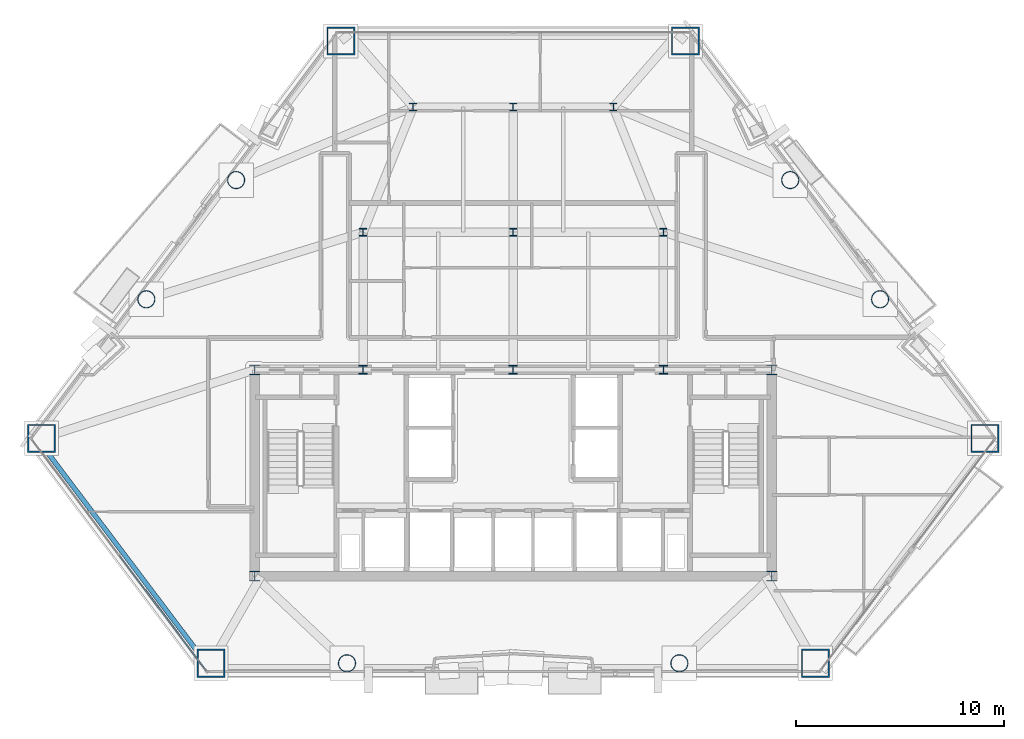
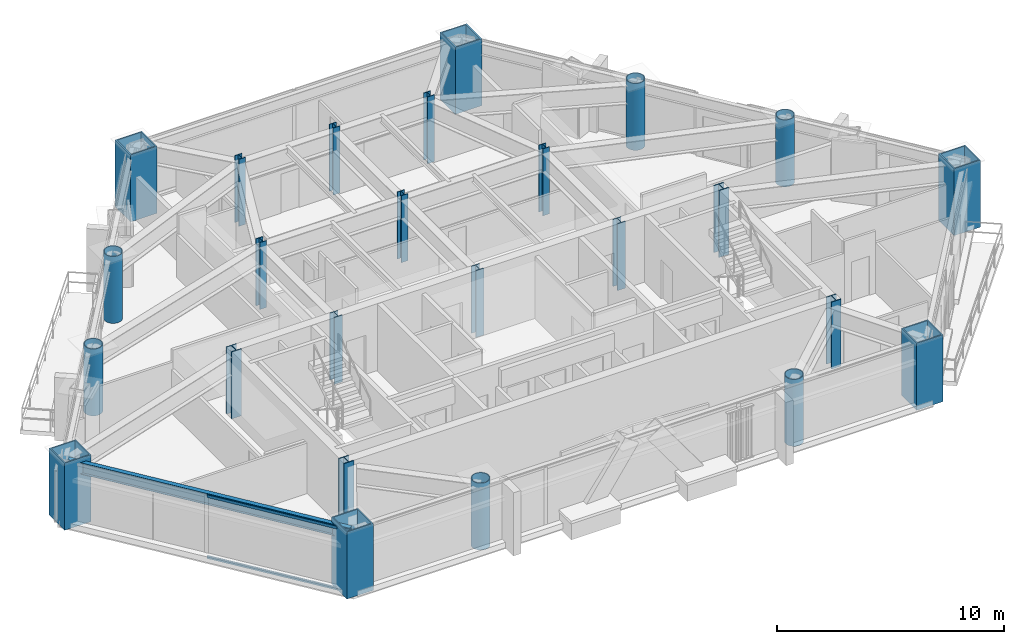
# One storey, part 1 of 11: 25 columns, 2 members, 1 beam, 1 element without a shape of its own.
"""IFC4 building model written with IfcOpenShell, lengths in metres."""

from ifc_helpers import new_model, si_unit, direction, frame, origin, origin_2d, place, context, subcontext, project, spatial, rectangle, hollow_rectangle, hollow_circle, i_section, extrude, material, layer, layer_set, material_profile, profile_set, type_object, element, aggregate, save


model = new_model("IFC4")

# Units and contexts
model_context = context("Model", 3, precision=1e-05, world=origin(), true_north=direction((0.0, 1.0)))
body_context = subcontext(model_context, "Body", "Model", "MODEL_VIEW")
ifc_project = project(units=[si_unit("LENGTHUNIT", "METRE"), si_unit("AREAUNIT", "SQUARE_METRE"), si_unit("VOLUMEUNIT", "CUBIC_METRE"), si_unit("PLANEANGLEUNIT", "RADIAN"), si_unit("MASSUNIT", "GRAM", prefix="KILO")], contexts=[model_context])

# Site, building, storey
site_placement = place(None, origin())
site = spatial("IfcSite", under=ifc_project, at=site_placement, CompositionType="ELEMENT")
building_placement = place(site_placement, origin())
building = spatial("IfcBuilding", under=site, at=building_placement, Name="Talgorran Terracotta Tower", CompositionType="ELEMENT")
storey_placement = place(building_placement, frame((0.0, 0.0, 35.10009765625)))
storey = spatial("IfcBuildingStorey", under=building, at=storey_placement, Name="L08", CompositionType="ELEMENT", Elevation=35.10009765625)

# Columns
ifc_material_1 = material(Name="Steel S355 (300PLUS)", Category="steel")
ifc_material_profile_1 = material_profile(ifc_material_1, i_section(OverallWidth=0.35009765625, OverallDepth=0.366943359375, WebThickness=0.02490234375, FlangeThickness=0.031982421875, at=origin_2d()), Name="350WC258")
ifc_profile_set_1 = profile_set([ifc_material_profile_1], Name="Steel S355 (300PLUS)")
column_type_1 = type_object("IfcColumnType", Name="COL_350WC258", PredefinedType="COLUMN", material=ifc_profile_set_1)
for number, where, z_axis, x_axis, name in (
    (1, (-7.199951171875, 2.39990234375, 0.0), (0.0, 0.0, 1.0), (1.0, 0.0, 0.0), "L08 Interior Gravity Column IC1"),
    (2, (0.0, 2.39990234375, 0.0), (0.0, 0.0, 1.0), (1.0, 0.0, 0.0), "L08 Interior Gravity Column IC2"),
    (3, (7.199951171875, 2.39990234375, 0.0), (0.0, 0.0, 1.0), (1.0, 0.0, 0.0), "L08 Interior Gravity Column IC3"),
    (4, (-4.800048828125, 8.39990234375, 0.0), (0.0, 0.0, 1.0), (1.0, 0.0, 0.0), "L08 Interior Gravity Column IC4"),
    (5, (0.0, 8.39990234375, 0.0), (0.0, 0.0, 1.0), (1.0, 0.0, 0.0), "L08 Interior Gravity Column IC5"),
    (6, (4.800048828125, 8.39990234375, 0.0), (0.0, 0.0, 1.0), (1.0, 0.0, 0.0), "L08 Interior Gravity Column IC6"),
):
    element("IfcColumn", number, at=place(storey_placement, frame(where, z_axis=z_axis, x_axis=x_axis)), inside=storey, type_object=column_type_1, Name=name, PredefinedType="COLUMN", context=body_context, shape_type="SweptSolid", body=[
        extrude(i_section(OverallWidth=0.35009765625, OverallDepth=0.366943359375, WebThickness=0.02490234375, FlangeThickness=0.031982421875, at=origin_2d()), origin(), (0.0, 0.0, 1.0), 3.599853515625),
    ])
ifc_material_profile_2 = material_profile(ifc_material_1, i_section(OverallWidth=0.5, OverallDepth=0.48193359375, WebThickness=0.0400390625, FlangeThickness=0.044921875, at=origin_2d()), Name="500WC440")
ifc_profile_set_2 = profile_set([ifc_material_profile_2], Name="Steel S355 (300PLUS)")
column_type_2 = type_object("IfcColumnType", Name="COL_500WC440", PredefinedType="COLUMN", material=ifc_profile_set_2)
for number, where, z_axis, x_axis, name in (
    (7, (-12.39990234375, -14.10009765625, 0.0), (0.0, 0.0, 1.0), (1.0, 0.0, 0.0), "L08 Core Boundary Column CC1"),
    (8, (12.39990234375, -14.10009765625, 0.0), (0.0, 0.0, 1.0), (1.0, 0.0, 0.0), "L08 Core Boundary Column CC2"),
    (9, (12.39990234375, -4.199951171875, 0.0), (0.0, 0.0, 1.0), (1.0, 0.0, 0.0), "L08 Core Boundary Column CC3"),
    (10, (-12.39990234375, -4.199951171875, 0.0), (0.0, 0.0, 1.0), (1.0, 0.0, 0.0), "L08 Core Boundary Column CC4"),
):
    element("IfcColumn", number, at=place(storey_placement, frame(where, z_axis=z_axis, x_axis=x_axis)), inside=storey, type_object=column_type_2, Name=name, PredefinedType="COLUMN", context=body_context, shape_type="SweptSolid", body=[
        extrude(i_section(OverallWidth=0.5, OverallDepth=0.48193359375, WebThickness=0.0400390625, FlangeThickness=0.044921875, at=origin_2d()), origin(), (0.0, 0.0, 1.0), 3.599853515625),
    ])
ifc_material_2 = material(Name="Steel Grade 350 (350L0)", Category="steel")
ifc_material_profile_3 = material_profile(ifc_material_2, hollow_rectangle(XDim=1.35009765625, YDim=1.35009765625, WallThickness=0.06494140625, at=origin_2d()), Name="CFT1350X1350X65")
ifc_profile_set_3 = profile_set([ifc_material_profile_3], Name="Steel Grade 350 (350L0)")
column_type_3 = type_object("IfcColumnType", Name="COL_CFT_1350", PredefinedType="COLUMN", material=ifc_profile_set_3)
for number, where, z_axis, x_axis, name in (
    (11, (-22.62646484375, -7.490478515625, 0.0), (0.0, 0.0, 1.0), (1.0, 0.0, 0.0), "L08 Corner CFT Mega-Column MC1"),
    (12, (-14.495849609375, -18.280029296875, 0.0), (0.0, 0.0, 1.0), (1.0, 0.0, 0.0), "L08 Corner CFT Mega-Column MC2"),
    (13, (14.495849609375, -18.280029296875, 0.0), (0.0, 0.0, 1.0), (1.0, 0.0, 0.0), "L08 Corner CFT Mega-Column MC3"),
    (14, (22.62646484375, -7.490478515625, 0.0), (0.0, 0.0, 1.0), (1.0, 0.0, 0.0), "L08 Corner CFT Mega-Column MC4"),
    (15, (8.26318359375, 11.5703125, 0.0), (0.0, 0.0, 1.0), (1.0, 0.0, 0.0), "L08 Corner CFT Mega-Column MC5"),
    (16, (-8.26318359375, 11.5703125, 0.0), (0.0, 0.0, 1.0), (1.0, 0.0, 0.0), "L08 Corner CFT Mega-Column MC6"),
):
    element("IfcColumn", number, at=place(storey_placement, frame(where, z_axis=z_axis, x_axis=x_axis)), inside=storey, type_object=column_type_3, Name=name, PredefinedType="COLUMN", context=body_context, shape_type="SweptSolid", body=[
        extrude(hollow_rectangle(XDim=1.35009765625, YDim=1.35009765625, WallThickness=0.06494140625, at=origin_2d()), origin(), (0.0, 0.0, 1.0), 3.599853515625),
    ])
ifc_material_profile_4 = material_profile(ifc_material_2, hollow_circle(Radius=0.425048828125, WallThickness=0.0380859375, at=origin_2d()), Name="CHS850X38")
ifc_profile_set_4 = profile_set([ifc_material_profile_4], Name="Steel Grade 350 (350L0)")
column_type_4 = type_object("IfcColumnType", Name="COL_CHS_850", PredefinedType="COLUMN", material=ifc_profile_set_4)
for number, where, z_axis, x_axis, name in (
    (17, (-7.97265625, -18.280029296875, 0.0), (0.0, 0.0, 1.0), (1.0, 0.0, 0.0), "L08 Facet Perimeter Column FC1"),
    (18, (7.97265625, -18.280029296875, 0.0), (0.0, 0.0, 1.0), (1.0, 0.0, 0.0), "L08 Facet Perimeter Column FC2"),
    (19, (17.599365234375, -0.819091796875, 0.0), (0.0, 0.0, 1.0), (1.0, 0.0, 0.0), "L08 Facet Perimeter Column FC3"),
    (20, (13.290283203125, 4.899169921875, 0.0), (0.0, 0.0, 1.0), (1.0, 0.0, 0.0), "L08 Facet Perimeter Column FC4"),
    (21, (-13.290283203125, 4.899169921875, 0.0), (0.0, 0.0, 1.0), (1.0, 0.0, 0.0), "L08 Facet Perimeter Column FC5"),
    (22, (-17.599365234375, -0.819091796875, 0.0), (0.0, 0.0, 1.0), (1.0, 0.0, 0.0), "L08 Facet Perimeter Column FC6"),
):
    element("IfcColumn", number, at=place(storey_placement, frame(where, z_axis=z_axis, x_axis=x_axis)), inside=storey, type_object=column_type_4, Name=name, PredefinedType="COLUMN", context=body_context, shape_type="SweptSolid", body=[
        extrude(hollow_circle(Radius=0.425048828125, WallThickness=0.0380859375, at=origin_2d()), origin(), (0.0, 0.0, 1.0), 3.599853515625),
    ])
ifc_material_profile_5 = material_profile(ifc_material_1, i_section(OverallWidth=0.405029296875, OverallDepth=0.4140625, WebThickness=0.02197265625, FlangeThickness=0.031982421875, at=origin_2d()), Name="400WC270")
ifc_profile_set_5 = profile_set([ifc_material_profile_5], Name="Steel S355 (300PLUS)")
column_type_5 = type_object("IfcColumnType", Name="COL_PIL_400WC270", PredefinedType="PILASTER", material=ifc_profile_set_5)
for number, where, z_axis, x_axis, name in (
    (23, (-7.199951171875, -4.199951171875, 0.0), (0.0, 0.0, 1.0), (1.0, 0.0, 0.0), "L08 Core Shear Pilaster CP1"),
    (24, (0.0, -4.199951171875, 0.0), (0.0, 0.0, 1.0), (1.0, 0.0, 0.0), "L08 Core Shear Pilaster CP2"),
    (25, (7.199951171875, -4.199951171875, 0.0), (0.0, 0.0, 1.0), (1.0, 0.0, 0.0), "L08 Core Shear Pilaster CP3"),
):
    element("IfcColumn", number, at=place(storey_placement, frame(where, z_axis=z_axis, x_axis=x_axis)), inside=storey, type_object=column_type_5, Name=name, PredefinedType="PILASTER", context=body_context, shape_type="SweptSolid", body=[
        extrude(i_section(OverallWidth=0.405029296875, OverallDepth=0.4140625, WebThickness=0.02197265625, FlangeThickness=0.031982421875, at=origin_2d()), origin(), (0.0, 0.0, 1.0), 3.599853515625),
    ])

# Beam
ifc_material_profile_6 = material_profile(ifc_material_1, i_section(OverallWidth=0.22900390625, OverallDepth=0.611572265625, WebThickness=0.011962890625, FlangeThickness=0.01953125, at=origin_2d()), Name="610UB125")
ifc_profile_set_6 = profile_set([ifc_material_profile_6], Name="Steel S355 (300PLUS)")
beam_type = type_object("IfcBeamType", Name="BM_SP_610UB125", PredefinedType="SPANDREL", material=ifc_profile_set_6)
beam_placement = place(storey_placement, frame((-22.770263671875, -7.5986328125, 3.044189453125), z_axis=(0.601820005964, -0.798631755205, 0.0), x_axis=(0.798631755205, 0.601820005964, 0.0)))
element("IfcBeam", 26, at=beam_placement, inside=storey, type_object=beam_type, Name="L08 Perimeter Spandrel Beam MC1-MC2", PredefinedType="SPANDREL", context=body_context, shape_type="SweptSolid", body=[
    extrude(i_section(OverallWidth=0.22900390625, OverallDepth=0.611572265625, WebThickness=0.011962890625, FlangeThickness=0.01953125, at=origin_2d()), origin(), (0.0, 0.0, 1.0), 13.510009765625),
])

# Curtain wall, members
ifc_material_3 = material(Name="Unitised Low-E Double Glazing", Category="glass")
ifc_layer = layer(ifc_material_3, 0.199951171875, Name="CW_SYS2_RES_LOW")
ifc_layer_set = layer_set([ifc_layer], Name="Unitised Low-E Double Glazing")
curtain_wall_type = type_object("IfcCurtainWallType", Name="CW_SYS2_RES_LOW", PredefinedType="NOTDEFINED", material=ifc_layer_set)
curtain_wall_placement = place(storey_placement, origin())
curtain_wall = element("IfcCurtainWall", 27, at=curtain_wall_placement, inside=storey, type_object=curtain_wall_type, Name="CW-L08-F0", PredefinedType="NOTDEFINED")
ifc_material_4 = material(Name="Architectural Aluminium 6063-T6", Category="aluminium")
ifc_material_profile_7 = material_profile(ifc_material_4, rectangle(XDim=0.06494140625, YDim=0.14990234375, at=origin_2d()), Name="CWT65X150")
ifc_profile_set_7 = profile_set([ifc_material_profile_7], Name="Architectural Aluminium 6063-T6")
member_type = type_object("IfcMemberType", Name="TRN_65X150", PredefinedType="USERDEFINED", material=ifc_profile_set_7)
member_1_placement = place(storey_placement, frame((-18.891845703125, -13.111083984375, 0.032470703125), z_axis=(0.601796664626, -0.798649343858, 0.0), x_axis=(0.798649343858, 0.601796664626, 0.0)))
member_1 = element("IfcMember", 28, at=member_1_placement, type_object=member_type, Name="CW-L08-0 transom 2.1", ObjectType="TRANSOM", PredefinedType="USERDEFINED", context=body_context, shape_type="SweptSolid", body=[
    extrude(rectangle(XDim=0.06494140625, YDim=0.14990234375, at=origin_2d()), origin(), (0.0, 0.0, 1.0), 6.907958984375),
])
member_2_placement = place(storey_placement, frame((-18.891845703125, -13.111083984375, 3.3173828125), z_axis=(0.601796664626, -0.798649343858, 0.0), x_axis=(0.798649343858, 0.601796664626, 0.0)))
member_2 = element("IfcMember", 29, at=member_2_placement, type_object=member_type, Name="CW-L08-0 transom 2.2", ObjectType="TRANSOM", PredefinedType="USERDEFINED", context=body_context, shape_type="SweptSolid", body=[
    extrude(rectangle(XDim=0.06494140625, YDim=0.14990234375, at=origin_2d()), origin(), (0.0, 0.0, 1.0), 6.907958984375),
])
aggregate(curtain_wall, [member_1, member_2])

save(model, "model.ifc")
